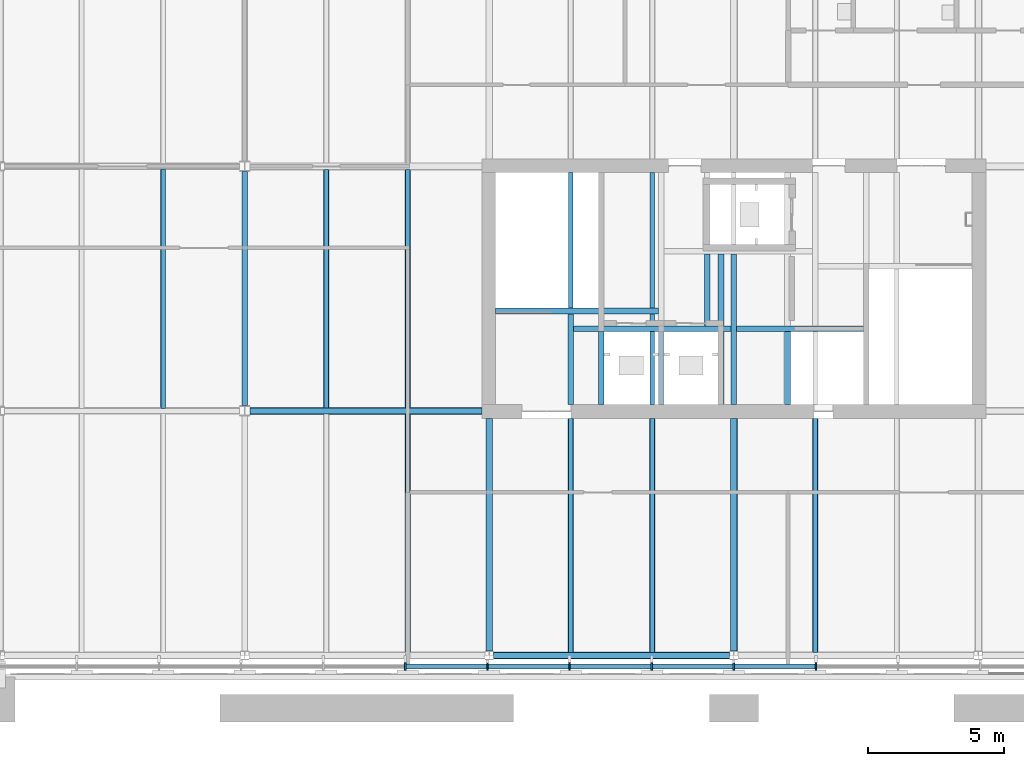
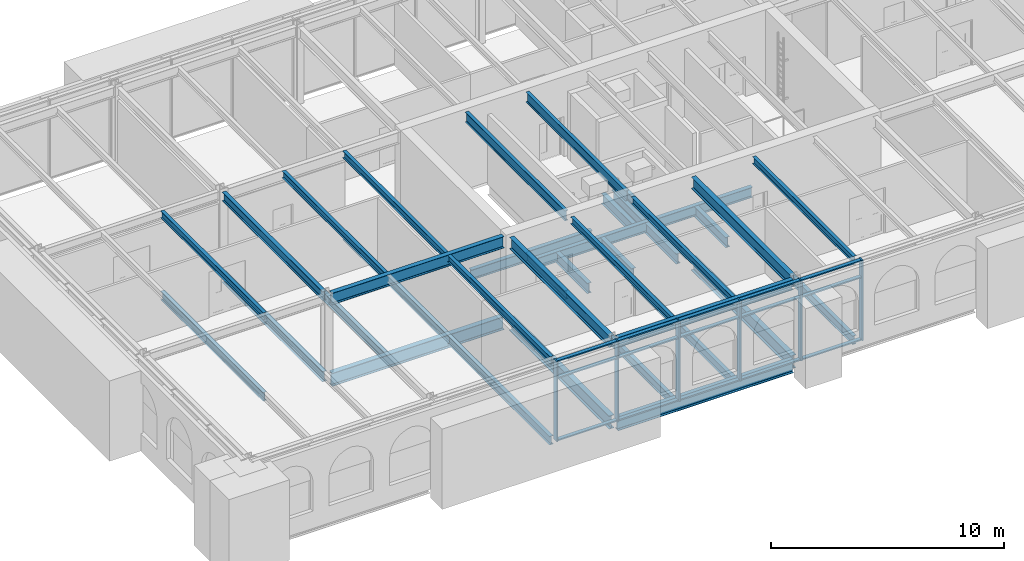
# One storey, part 4 of 24: 37 beams, 21 members, 1 element without a shape of its own.
"""IFC4 building model written with IfcOpenShell, lengths in metres."""

import ifcopenshell
import ifcopenshell.guid

model = None  # the IFC model being written
_history = None  # IfcOwnerHistory: only IFC2X3 demands one
_inside = {}  # id of a spatial element -> (the spatial element, [elements in it])
_under = {}  # id of a project, library or spatial element -> (it, [spatial elements below it])
_declared = {}  # id of a project -> (the project, [libraries it declares])
_typed = {}  # id of a type object -> (the type object, [elements of that type])
_made_of = {}  # id of a material, layer set ... -> (it, [elements and type objects made of it])


def new_model(schema):
    """Start an empty IFC model of exactly this schema.

    Asked for "IFC4X3", IfcOpenShell would pick the latest addendum, in which some entities
    have other attributes; the version numbers below select the first issue.
    IFC2X3 requires an IfcOwnerHistory on every rooted entity: one is made here for all.
    """
    global model, _history
    if schema == "IFC4X3":
        model = ifcopenshell.file(schema_version=(4, 3, 0, 0))
    else:
        model = ifcopenshell.file(schema=schema)
    _inside.clear()
    _under.clear()
    _declared.clear()
    _typed.clear()
    _made_of.clear()
    _history = None
    if model.schema == "IFC2X3":
        org = make("IfcOrganization", Name="unknown")
        user = make(
            "IfcPersonAndOrganization",
            ThePerson=make("IfcPerson", FamilyName="unknown"),
            TheOrganization=org,
        )
        app = make(
            "IfcApplication",
            ApplicationDeveloper=org,
            Version="unknown",
            ApplicationFullName="unknown",
            ApplicationIdentifier="unknown",
        )
        _history = make(
            "IfcOwnerHistory",
            OwningUser=user,
            OwningApplication=app,
            ChangeAction="ADDED",
            CreationDate=0,
        )
    return model


def make(cls, **values):
    """One entity of the class cls with the attributes given. An attribute that is None is left unset."""
    return model.create_entity(
        cls, **{name: value for name, value in values.items() if value is not None}
    )


def rooted(cls, **values):
    """An entity with a GlobalId (a new one), such as an element, a storey or a relation."""
    return make(cls, GlobalId=ifcopenshell.guid.new(), OwnerHistory=_history, **values)


def si_unit(unit_type, name, prefix=None):
    """IfcSIUnit, for example si_unit("LENGTHUNIT", "METRE", prefix="MILLI")."""
    return make("IfcSIUnit", UnitType=unit_type, Prefix=prefix, Name=name)


def assignment(units):
    """IfcUnitAssignment: the units of a project."""
    return None if units is None else make("IfcUnitAssignment", Units=units)


def point(xyz):
    """IfcCartesianPoint."""
    return None if xyz is None else make("IfcCartesianPoint", Coordinates=xyz)


def direction(xyz):
    """IfcDirection."""
    return None if xyz is None else make("IfcDirection", DirectionRatios=xyz)


def frame(location, z_axis=None, x_axis=None):
    """IfcAxis2Placement3D, a coordinate frame: its origin and axes. An axis left out is left unset."""
    return make(
        "IfcAxis2Placement3D",
        Location=point(location),
        Axis=direction(z_axis),
        RefDirection=direction(x_axis),
    )


def frame_2d(location, x_axis=None):
    """IfcAxis2Placement2D, a coordinate frame in the plane: its origin and x axis."""
    return make(
        "IfcAxis2Placement2D", Location=point(location), RefDirection=direction(x_axis)
    )


def origin():
    """The frame at (0, 0, 0) with its axes left unset."""
    return frame((0.0, 0.0, 0.0))


def origin_2d():
    """The frame at (0, 0) in the plane with its x axis left unset."""
    return frame_2d((0.0, 0.0))


def place(relative_to, where):
    """IfcLocalPlacement: puts the frame where relative to a parent placement (None: the world)."""
    return make(
        "IfcLocalPlacement", PlacementRelTo=relative_to, RelativePlacement=where
    )


def context(
    kind, dimensions, precision=None, world=None, true_north=None, identifier=None
):
    """IfcGeometricRepresentationContext, for example the 3D "Model" context."""
    return make(
        "IfcGeometricRepresentationContext",
        ContextIdentifier=identifier,
        ContextType=kind,
        CoordinateSpaceDimension=dimensions,
        Precision=precision,
        WorldCoordinateSystem=world,
        TrueNorth=true_north,
    )


def subcontext(parent, identifier, kind, view, scale=None):
    """IfcGeometricRepresentationSubContext, for example "Body" below "Model"."""
    return make(
        "IfcGeometricRepresentationSubContext",
        ContextIdentifier=identifier,
        ContextType=kind,
        ParentContext=parent,
        TargetScale=scale,
        TargetView=view,
    )


def project(units=None, contexts=None):
    """IfcProject with its units and contexts."""
    return rooted(
        "IfcProject",
        Name="project",
        RepresentationContexts=contexts,
        UnitsInContext=assignment(units),
    )


def spatial(cls, under=None, at=None, **own):
    """A site, building, storey or space (cls), placed at a placement, below another one or the project."""
    s = rooted(cls, ObjectPlacement=at, **own)
    if under is not None:
        _under.setdefault(under.id(), (under, []))[1].append(s)
    return s


def profile(cls, at=None, kind="AREA", **sizes):
    """A parametric profile (cls). Its sizes go by their IFC names, for example OverallWidth=200.0."""
    return make(cls, ProfileType=kind, Position=at, **sizes)


def rectangle(**sizes):
    """IfcRectangleProfileDef."""
    return profile("IfcRectangleProfileDef", **sizes)


def i_section(**sizes):
    """IfcIShapeProfileDef."""
    return profile("IfcIShapeProfileDef", **sizes)


def extrude(swept, where, along, depth):
    """IfcExtrudedAreaSolid: the profile swept, set in the frame where, extruded along a direction by depth."""
    return make(
        "IfcExtrudedAreaSolid",
        SweptArea=swept,
        Position=where,
        ExtrudedDirection=direction(along),
        Depth=depth,
    )


def shape(context_of_items, identifier, shape_type, items):
    """IfcShapeRepresentation: the items that make up one representation, for example the "Body"."""
    return make(
        "IfcShapeRepresentation",
        ContextOfItems=context_of_items,
        RepresentationIdentifier=identifier,
        RepresentationType=shape_type,
        Items=items,
    )


def material(Name=None, Category=None):
    """IfcMaterial."""
    return make("IfcMaterial", Name=Name, Category=Category)


def material_profile(
    of_material, cross_section, Name=None, Category=None, Priority=None
):
    """IfcMaterialProfile: a cross section and its material."""
    return make(
        "IfcMaterialProfile",
        Name=Name,
        Material=of_material,
        Profile=cross_section,
        Priority=Priority,
        Category=Category,
    )


def profile_set(profiles, Name=None, composite=None):
    """IfcMaterialProfileSet."""
    return make(
        "IfcMaterialProfileSet",
        Name=Name,
        MaterialProfiles=profiles,
        CompositeProfile=composite,
    )


def made_of(thing, what):
    """Note that an element or type object is made of a material, layer set ...; save() writes the relation."""
    if what is not None:
        _made_of.setdefault(what.id(), (what, []))[1].append(thing)
    return thing


def type_object(cls, material=None, **own):
    """A type object (cls), such as IfcWallType, which elements share."""
    return made_of(rooted(cls, **own), material)


def element(
    cls,
    number,
    at=None,
    inside=None,
    cuts=None,
    type_object=None,
    material=None,
    context=None,
    identifier="Body",
    shape_type=None,
    held_by="IfcProductDefinitionShape",
    body=None,
    shapes=None,
    **own,
):
    """One element of the class cls, such as IfcWall. Its Tag is "e" and its number.

    at: its placement. inside: the storey or other place that contains it. cuts: it is an
    opening in that element (IfcRelVoidsElement). A single representation is given by context,
    identifier, shape_type and body (its items); several are given by shapes. held_by: the class
    of the entity that holds the representations. save() writes the other relations.
    """
    e = rooted(cls, Tag="e%d" % number, ObjectPlacement=at, **own)
    if body is not None:
        shapes = [shape(context, identifier, shape_type, body)]
    if shapes is not None:
        e.Representation = make(held_by, Representations=shapes)
    if inside is not None:
        _inside.setdefault(inside.id(), (inside, []))[1].append(e)
    if cuts is not None:
        rooted(
            "IfcRelVoidsElement", RelatingBuildingElement=cuts, RelatedOpeningElement=e
        )
    if type_object is not None:
        _typed.setdefault(type_object.id(), (type_object, []))[1].append(e)
    return made_of(e, material)


def aggregate(whole, parts):
    """IfcRelAggregates: a whole, such as a stair, and the parts it consists of."""
    return rooted("IfcRelAggregates", RelatingObject=whole, RelatedObjects=parts)


def save(model, path):
    """Write the relations noted so far, then the file.

    IfcRelAggregates (storeys below a building ...), IfcRelContainedInSpatialStructure (elements
    in a storey), IfcRelDefinesByType, IfcRelAssociatesMaterial and IfcRelDeclares: one each for
    every whole, place, type object, material and project.
    """
    for whole, parts in _under.values():
        aggregate(whole, parts)
    for where, things in _inside.values():
        rooted(
            "IfcRelContainedInSpatialStructure",
            RelatedElements=things,
            RelatingStructure=where,
        )
    for kind, things in _typed.values():
        rooted("IfcRelDefinesByType", RelatedObjects=things, RelatingType=kind)
    for what, things in _made_of.values():
        rooted("IfcRelAssociatesMaterial", RelatedObjects=things, RelatingMaterial=what)
    for by, libraries in _declared.values():
        rooted("IfcRelDeclares", RelatingContext=by, RelatedDefinitions=libraries)
    model.write(path)


model = new_model("IFC4")

# Units and contexts
model_context = context("Model", 3, precision=1e-05, world=origin(), true_north=direction((0.0, 1.0)))
body_context = subcontext(model_context, "Body", "Model", "MODEL_VIEW")
ifc_project = project(units=[si_unit("LENGTHUNIT", "METRE"), si_unit("AREAUNIT", "SQUARE_METRE"), si_unit("VOLUMEUNIT", "CUBIC_METRE"), si_unit("PLANEANGLEUNIT", "RADIAN"), si_unit("MASSUNIT", "GRAM", prefix="KILO")], contexts=[model_context])

# Site, building, storey
site_placement = place(None, origin())
site = spatial("IfcSite", under=ifc_project, at=site_placement, CompositionType="ELEMENT")
building_placement = place(site_placement, origin())
building = spatial("IfcBuilding", under=site, at=building_placement, Name="Baradari Gate Terminus", CompositionType="ELEMENT")
storey_placement = place(building_placement, frame((0.0, 0.0, 32.699951171875)))
storey = spatial("IfcBuildingStorey", under=building, at=storey_placement, Name="L07", CompositionType="ELEMENT", Elevation=32.699951171875)

# Beams
ifc_material_1 = material(Name="Steel S355", Category="steel")
ifc_material_profile_1 = material_profile(ifc_material_1, i_section(OverallWidth=0.19140625, OverallDepth=0.4599609375, WebThickness=0.010009765625, FlangeThickness=0.01611328125, FilletRadius=0.01025390625, at=origin_2d()), Name="UB 457x191x82")
ifc_profile_set_1 = profile_set([ifc_material_profile_1], Name="Steel S355")
beam_type_1 = type_object("IfcBeamType", Name="Core floor beam B23 UB 457x191x82", PredefinedType="BEAM", material=ifc_profile_set_1)
beam_1_placement = place(storey_placement, frame((30.0, 126.22509765625, -0.35986328125), z_axis=(0.0, 1.0, 0.0), x_axis=(-1.0, 0.0, 0.0)))
element("IfcBeam", 1, at=beam_1_placement, inside=storey, type_object=beam_type_1, Name="Core floor beam B23 30:126.225-129.57 L07", PredefinedType="BEAM", context=body_context, shape_type="SweptSolid", body=[
    extrude(i_section(OverallWidth=0.19140625, OverallDepth=0.4599609375, WebThickness=0.010009765625, FlangeThickness=0.01611328125, FilletRadius=0.01025390625, at=origin_2d()), origin(), (0.0, 0.0, 1.0), 3.34521484375),
])
beam_2_placement = place(storey_placement, frame((36.0, 126.22509765625, -0.35986328125), z_axis=(0.0, 1.0, 0.0), x_axis=(-1.0, 0.0, 0.0)))
element("IfcBeam", 2, at=beam_2_placement, inside=storey, type_object=beam_type_1, Name="Core floor beam B23 5:126.225-131.77 L07", PredefinedType="BEAM", context=body_context, shape_type="SweptSolid", body=[
    extrude(i_section(OverallWidth=0.19140625, OverallDepth=0.4599609375, WebThickness=0.010009765625, FlangeThickness=0.01611328125, FilletRadius=0.01025390625, at=origin_2d()), origin(), (0.0, 0.0, 1.0), 5.54541015625),
])
ifc_material_2 = material(Name="Steel S355", Category="steel")
ifc_material_profile_2 = material_profile(ifc_material_2, i_section(OverallWidth=0.209228515625, OverallDepth=0.533203125, WebThickness=0.010009765625, FlangeThickness=0.015625, FilletRadius=0.0126953125, at=origin_2d()), Name="UB 533x210x92")
ifc_profile_set_2 = profile_set([ifc_material_profile_2], Name="Steel S355")
beam_type_2 = type_object("IfcBeamType", Name="Core floor trimmer beam B22 UB 533x210x92", PredefinedType="BEAM", material=ifc_profile_set_2)
beam_3_placement = place(storey_placement, frame((30.095703125, 129.02490234375, -0.396484375), z_axis=(1.0, 0.0, 0.0), x_axis=(0.0, 1.0, 0.0)))
element("IfcBeam", 3, at=beam_3_placement, inside=storey, type_object=beam_type_2, Name="Core floor trimmer beam B22 129.025:30.096-35.904 L07", PredefinedType="BEAM", context=body_context, shape_type="SweptSolid", body=[
    extrude(i_section(OverallWidth=0.209228515625, OverallDepth=0.533203125, WebThickness=0.010009765625, FlangeThickness=0.015625, FilletRadius=0.0126953125, at=origin_2d()), origin(), (0.0, 0.0, 1.0), 5.80859375),
])
beam_4_placement = place(storey_placement, frame((36.095703125, 129.02490234375, -0.396484375), z_axis=(1.0, 0.0, 0.0), x_axis=(0.0, 1.0, 0.0)))
element("IfcBeam", 4, at=beam_4_placement, inside=storey, type_object=beam_type_2, Name="Core floor trimmer beam B22 129.025:36.096-40.77 L07", PredefinedType="BEAM", context=body_context, shape_type="SweptSolid", body=[
    extrude(i_section(OverallWidth=0.209228515625, OverallDepth=0.533203125, WebThickness=0.010009765625, FlangeThickness=0.015625, FilletRadius=0.0126953125, at=origin_2d()), origin(), (0.0, 0.0, 1.0), 4.6748046875),
])
beam_5_placement = place(storey_placement, frame((27.22509765625, 129.675048828125, -0.396484375), z_axis=(1.0, 0.0, 0.0), x_axis=(0.0, 1.0, 0.0)))
element("IfcBeam", 5, at=beam_5_placement, inside=storey, type_object=beam_type_2, Name="Core floor trimmer beam B22 129.675:27.225-33.22 L07", PredefinedType="BEAM", context=body_context, shape_type="SweptSolid", body=[
    extrude(i_section(OverallWidth=0.209228515625, OverallDepth=0.533203125, WebThickness=0.010009765625, FlangeThickness=0.015625, FilletRadius=0.0126953125, at=origin_2d()), origin(), (0.0, 0.0, 1.0), 5.995361328125),
])
for number, where, z_axis, x_axis, name in (
    (6, (31.125, 126.22509765625, -0.396484375), (0.0, 1.0, 0.0), (-1.0, 0.0, 0.0), "Core floor trimmer beam B22 31.125:126.225-128.92 L07"),
    (7, (33.324951171875, 126.22509765625, -0.396484375), (0.0, 1.0, 0.0), (-1.0, 0.0, 0.0), "Core floor trimmer beam B22 33.325:126.225-128.92 L07"),
    (8, (35.530029296875, 126.22509765625, -0.396484375), (0.0, 1.0, 0.0), (-1.0, 0.0, 0.0), "Core floor trimmer beam B22 35.53:126.225-128.92 L07"),
):
    element("IfcBeam", number, at=place(storey_placement, frame(where, z_axis=z_axis, x_axis=x_axis)), inside=storey, type_object=beam_type_2, Name=name, PredefinedType="BEAM", context=body_context, shape_type="SweptSolid", body=[
        extrude(i_section(OverallWidth=0.209228515625, OverallDepth=0.533203125, WebThickness=0.010009765625, FlangeThickness=0.015625, FilletRadius=0.0126953125, at=origin_2d()), origin(), (0.0, 0.0, 1.0), 2.6953125),
    ])
beam_6_placement = place(storey_placement, frame((35.530029296875, 129.129638671875, -0.396484375), z_axis=(0.0, 1.0, 0.0), x_axis=(-1.0, 0.0, 0.0)))
element("IfcBeam", 9, at=beam_6_placement, inside=storey, type_object=beam_type_2, Name="Core floor trimmer beam B22 35.53:129.13-131.77 L07", PredefinedType="BEAM", context=body_context, shape_type="SweptSolid", body=[
    extrude(i_section(OverallWidth=0.209228515625, OverallDepth=0.533203125, WebThickness=0.010009765625, FlangeThickness=0.015625, FilletRadius=0.0126953125, at=origin_2d()), origin(), (0.0, 0.0, 1.0), 2.640869140625),
])
beam_7_placement = place(storey_placement, frame((37.97802734375, 126.22509765625, -0.396484375), z_axis=(0.0, 1.0, 0.0), x_axis=(-1.0, 0.0, 0.0)))
element("IfcBeam", 10, at=beam_7_placement, inside=storey, type_object=beam_type_2, Name="Core floor trimmer beam B22 37.978:126.225-128.92 L07", PredefinedType="BEAM", context=body_context, shape_type="SweptSolid", body=[
    extrude(i_section(OverallWidth=0.209228515625, OverallDepth=0.533203125, WebThickness=0.010009765625, FlangeThickness=0.015625, FilletRadius=0.0126953125, at=origin_2d()), origin(), (0.0, 0.0, 1.0), 2.6953125),
])
beam_8_placement = place(storey_placement, frame((35.02001953125, 129.129638671875, -0.396484375), z_axis=(0.0, 1.0, 0.0), x_axis=(-1.0, 0.0, 0.0)))
element("IfcBeam", 11, at=beam_8_placement, inside=storey, type_object=beam_type_2, Name="Core floor trimmer beam B22 35.02:129.13-131.77 L07", PredefinedType="BEAM", context=body_context, shape_type="SweptSolid", body=[
    extrude(i_section(OverallWidth=0.209228515625, OverallDepth=0.533203125, WebThickness=0.010009765625, FlangeThickness=0.015625, FilletRadius=0.0126953125, at=origin_2d()), origin(), (0.0, 0.0, 1.0), 2.640869140625),
])

# Curtain wall, members
ifc_material_3 = material(Name="Aluminium 6063-T6", Category="aluminium")
curtain_wall_type = type_object("IfcCurtainWallType", Name="Curtain wall CW-12 block arcade floors, L06-L07", PredefinedType="NOTDEFINED", material=ifc_material_3)
curtain_wall_placement = place(storey_placement, origin())
curtain_wall = element("IfcCurtainWall", 12, at=curtain_wall_placement, inside=storey, type_object=curtain_wall_type, Name="Curtain wall CW-12 Operations block S face L07", PredefinedType="NOTDEFINED")
ifc_material_4 = material(Name="Aluminium 6063-T6", Category="aluminium")
ifc_material_profile_3 = material_profile(ifc_material_4, rectangle(XDim=0.27490234375, YDim=0.06494140625, at=origin_2d()), Name="CM-12 65X275")
ifc_profile_set_3 = profile_set([ifc_material_profile_3], Name="Aluminium 6063-T6")
member_type_1 = type_object("IfcMemberType", Name="Curtain wall mullion CM-12 65x275", PredefinedType="MULLION", material=ifc_profile_set_3)
member_1_placement = place(storey_placement, frame((23.9111328125, 116.592529296875, 0.0), z_axis=(0.0, 0.0, 1.0), x_axis=(0.0, 1.0, 0.0)))
member_1 = element("IfcMember", 13, at=member_1_placement, type_object=member_type_1, Name="CW-12 mullion 6", PredefinedType="MULLION", context=body_context, shape_type="SweptSolid", body=[
    extrude(rectangle(XDim=0.27490234375, YDim=0.06494140625, at=origin_2d()), origin(), (0.0, 0.0, 1.0), 4.199951171875),
])
member_2_placement = place(storey_placement, frame((26.933349609375, 116.592529296875, 0.0), z_axis=(0.0, 0.0, 1.0), x_axis=(0.0, 1.0, 0.0)))
member_2 = element("IfcMember", 14, at=member_2_placement, type_object=member_type_1, Name="CW-12 mullion 7", PredefinedType="MULLION", context=body_context, shape_type="SweptSolid", body=[
    extrude(rectangle(XDim=0.27490234375, YDim=0.06494140625, at=origin_2d()), origin(), (0.0, 0.0, 1.0), 4.199951171875),
])
member_3_placement = place(storey_placement, frame((29.95556640625, 116.592529296875, 0.0), z_axis=(0.0, 0.0, 1.0), x_axis=(0.0, 1.0, 0.0)))
member_3 = element("IfcMember", 15, at=member_3_placement, type_object=member_type_1, Name="CW-12 mullion 8", PredefinedType="MULLION", context=body_context, shape_type="SweptSolid", body=[
    extrude(rectangle(XDim=0.27490234375, YDim=0.06494140625, at=origin_2d()), origin(), (0.0, 0.0, 1.0), 4.199951171875),
])
member_4_placement = place(storey_placement, frame((32.977783203125, 116.592529296875, 0.0), z_axis=(0.0, 0.0, 1.0), x_axis=(0.0, 1.0, 0.0)))
member_4 = element("IfcMember", 16, at=member_4_placement, type_object=member_type_1, Name="CW-12 mullion 9", PredefinedType="MULLION", context=body_context, shape_type="SweptSolid", body=[
    extrude(rectangle(XDim=0.27490234375, YDim=0.06494140625, at=origin_2d()), origin(), (0.0, 0.0, 1.0), 4.199951171875),
])
member_5_placement = place(storey_placement, frame((36.0, 116.592529296875, 0.0), z_axis=(0.0, 0.0, 1.0), x_axis=(0.0, 1.0, 0.0)))
member_5 = element("IfcMember", 17, at=member_5_placement, type_object=member_type_1, Name="CW-12 mullion 10", PredefinedType="MULLION", context=body_context, shape_type="SweptSolid", body=[
    extrude(rectangle(XDim=0.27490234375, YDim=0.06494140625, at=origin_2d()), origin(), (0.0, 0.0, 1.0), 4.199951171875),
])
member_6_placement = place(storey_placement, frame((39.022216796875, 116.592529296875, 0.0), z_axis=(0.0, 0.0, 1.0), x_axis=(0.0, 1.0, 0.0)))
member_6 = element("IfcMember", 18, at=member_6_placement, type_object=member_type_1, Name="CW-12 mullion 11", PredefinedType="MULLION", context=body_context, shape_type="SweptSolid", body=[
    extrude(rectangle(XDim=0.27490234375, YDim=0.06494140625, at=origin_2d()), origin(), (0.0, 0.0, 1.0), 4.199951171875),
])
ifc_material_5 = material(Name="Aluminium 6063-T6", Category="aluminium")
ifc_material_profile_4 = material_profile(ifc_material_5, rectangle(XDim=0.18505859375, YDim=0.06494140625, at=origin_2d()), Name="CT-12 65X185")
ifc_profile_set_4 = profile_set([ifc_material_profile_4], Name="Aluminium 6063-T6")
member_type_2 = type_object("IfcMemberType", Name="Curtain wall transom CT-12 65x185", PredefinedType="USERDEFINED", material=ifc_profile_set_4)
member_7_placement = place(storey_placement, frame((23.943603515625, 116.592529296875, 0.032470703125), z_axis=(1.0, 0.0, 0.0), x_axis=(0.0, 1.0, 0.0)))
member_7 = element("IfcMember", 19, at=member_7_placement, type_object=member_type_2, Name="CW-12 transom 6.1", ObjectType="TRANSOM", PredefinedType="USERDEFINED", context=body_context, shape_type="SweptSolid", body=[
    extrude(rectangle(XDim=0.18505859375, YDim=0.06494140625, at=origin_2d()), origin(), (0.0, 0.0, 1.0), 2.957275390625),
])
member_8_placement = place(storey_placement, frame((23.943603515625, 116.592529296875, 3.300048828125), z_axis=(1.0, 0.0, 0.0), x_axis=(0.0, 1.0, 0.0)))
member_8 = element("IfcMember", 20, at=member_8_placement, type_object=member_type_2, Name="CW-12 transom 6.2", ObjectType="TRANSOM", PredefinedType="USERDEFINED", context=body_context, shape_type="SweptSolid", body=[
    extrude(rectangle(XDim=0.18505859375, YDim=0.06494140625, at=origin_2d()), origin(), (0.0, 0.0, 1.0), 2.957275390625),
])
member_9_placement = place(storey_placement, frame((23.943603515625, 116.592529296875, 4.16748046875), z_axis=(1.0, 0.0, 0.0), x_axis=(0.0, 1.0, 0.0)))
member_9 = element("IfcMember", 21, at=member_9_placement, type_object=member_type_2, Name="CW-12 transom 6.3", ObjectType="TRANSOM", PredefinedType="USERDEFINED", context=body_context, shape_type="SweptSolid", body=[
    extrude(rectangle(XDim=0.18505859375, YDim=0.06494140625, at=origin_2d()), origin(), (0.0, 0.0, 1.0), 2.957275390625),
])
member_10_placement = place(storey_placement, frame((26.9658203125, 116.592529296875, 0.032470703125), z_axis=(1.0, 0.0, 0.0), x_axis=(0.0, 1.0, 0.0)))
member_10 = element("IfcMember", 22, at=member_10_placement, type_object=member_type_2, Name="CW-12 transom 7.1", ObjectType="TRANSOM", PredefinedType="USERDEFINED", context=body_context, shape_type="SweptSolid", body=[
    extrude(rectangle(XDim=0.18505859375, YDim=0.06494140625, at=origin_2d()), origin(), (0.0, 0.0, 1.0), 2.957275390625),
])
member_11_placement = place(storey_placement, frame((26.9658203125, 116.592529296875, 3.300048828125), z_axis=(1.0, 0.0, 0.0), x_axis=(0.0, 1.0, 0.0)))
member_11 = element("IfcMember", 23, at=member_11_placement, type_object=member_type_2, Name="CW-12 transom 7.2", ObjectType="TRANSOM", PredefinedType="USERDEFINED", context=body_context, shape_type="SweptSolid", body=[
    extrude(rectangle(XDim=0.18505859375, YDim=0.06494140625, at=origin_2d()), origin(), (0.0, 0.0, 1.0), 2.957275390625),
])
member_12_placement = place(storey_placement, frame((26.9658203125, 116.592529296875, 4.16748046875), z_axis=(1.0, 0.0, 0.0), x_axis=(0.0, 1.0, 0.0)))
member_12 = element("IfcMember", 24, at=member_12_placement, type_object=member_type_2, Name="CW-12 transom 7.3", ObjectType="TRANSOM", PredefinedType="USERDEFINED", context=body_context, shape_type="SweptSolid", body=[
    extrude(rectangle(XDim=0.18505859375, YDim=0.06494140625, at=origin_2d()), origin(), (0.0, 0.0, 1.0), 2.957275390625),
])
member_13_placement = place(storey_placement, frame((29.988037109375, 116.592529296875, 0.032470703125), z_axis=(1.0, 0.0, 0.0), x_axis=(0.0, 1.0, 0.0)))
member_13 = element("IfcMember", 25, at=member_13_placement, type_object=member_type_2, Name="CW-12 transom 8.1", ObjectType="TRANSOM", PredefinedType="USERDEFINED", context=body_context, shape_type="SweptSolid", body=[
    extrude(rectangle(XDim=0.18505859375, YDim=0.06494140625, at=origin_2d()), origin(), (0.0, 0.0, 1.0), 2.957275390625),
])
member_14_placement = place(storey_placement, frame((29.988037109375, 116.592529296875, 3.300048828125), z_axis=(1.0, 0.0, 0.0), x_axis=(0.0, 1.0, 0.0)))
member_14 = element("IfcMember", 26, at=member_14_placement, type_object=member_type_2, Name="CW-12 transom 8.2", ObjectType="TRANSOM", PredefinedType="USERDEFINED", context=body_context, shape_type="SweptSolid", body=[
    extrude(rectangle(XDim=0.18505859375, YDim=0.06494140625, at=origin_2d()), origin(), (0.0, 0.0, 1.0), 2.957275390625),
])
member_15_placement = place(storey_placement, frame((29.988037109375, 116.592529296875, 4.16748046875), z_axis=(1.0, 0.0, 0.0), x_axis=(0.0, 1.0, 0.0)))
member_15 = element("IfcMember", 27, at=member_15_placement, type_object=member_type_2, Name="CW-12 transom 8.3", ObjectType="TRANSOM", PredefinedType="USERDEFINED", context=body_context, shape_type="SweptSolid", body=[
    extrude(rectangle(XDim=0.18505859375, YDim=0.06494140625, at=origin_2d()), origin(), (0.0, 0.0, 1.0), 2.957275390625),
])
member_16_placement = place(storey_placement, frame((33.01025390625, 116.592529296875, 0.032470703125), z_axis=(1.0, 0.0, 0.0), x_axis=(0.0, 1.0, 0.0)))
member_16 = element("IfcMember", 28, at=member_16_placement, type_object=member_type_2, Name="CW-12 transom 9.1", ObjectType="TRANSOM", PredefinedType="USERDEFINED", context=body_context, shape_type="SweptSolid", body=[
    extrude(rectangle(XDim=0.18505859375, YDim=0.06494140625, at=origin_2d()), origin(), (0.0, 0.0, 1.0), 2.957275390625),
])
member_17_placement = place(storey_placement, frame((33.01025390625, 116.592529296875, 3.300048828125), z_axis=(1.0, 0.0, 0.0), x_axis=(0.0, 1.0, 0.0)))
member_17 = element("IfcMember", 29, at=member_17_placement, type_object=member_type_2, Name="CW-12 transom 9.2", ObjectType="TRANSOM", PredefinedType="USERDEFINED", context=body_context, shape_type="SweptSolid", body=[
    extrude(rectangle(XDim=0.18505859375, YDim=0.06494140625, at=origin_2d()), origin(), (0.0, 0.0, 1.0), 2.957275390625),
])
member_18_placement = place(storey_placement, frame((33.01025390625, 116.592529296875, 4.16748046875), z_axis=(1.0, 0.0, 0.0), x_axis=(0.0, 1.0, 0.0)))
member_18 = element("IfcMember", 30, at=member_18_placement, type_object=member_type_2, Name="CW-12 transom 9.3", ObjectType="TRANSOM", PredefinedType="USERDEFINED", context=body_context, shape_type="SweptSolid", body=[
    extrude(rectangle(XDim=0.18505859375, YDim=0.06494140625, at=origin_2d()), origin(), (0.0, 0.0, 1.0), 2.957275390625),
])
member_19_placement = place(storey_placement, frame((36.032470703125, 116.592529296875, 0.032470703125), z_axis=(1.0, 0.0, 0.0), x_axis=(0.0, 1.0, 0.0)))
member_19 = element("IfcMember", 31, at=member_19_placement, type_object=member_type_2, Name="CW-12 transom 10.1", ObjectType="TRANSOM", PredefinedType="USERDEFINED", context=body_context, shape_type="SweptSolid", body=[
    extrude(rectangle(XDim=0.18505859375, YDim=0.06494140625, at=origin_2d()), origin(), (0.0, 0.0, 1.0), 2.957275390625),
])
member_20_placement = place(storey_placement, frame((36.032470703125, 116.592529296875, 3.300048828125), z_axis=(1.0, 0.0, 0.0), x_axis=(0.0, 1.0, 0.0)))
member_20 = element("IfcMember", 32, at=member_20_placement, type_object=member_type_2, Name="CW-12 transom 10.2", ObjectType="TRANSOM", PredefinedType="USERDEFINED", context=body_context, shape_type="SweptSolid", body=[
    extrude(rectangle(XDim=0.18505859375, YDim=0.06494140625, at=origin_2d()), origin(), (0.0, 0.0, 1.0), 2.957275390625),
])
member_21_placement = place(storey_placement, frame((36.032470703125, 116.592529296875, 4.16748046875), z_axis=(1.0, 0.0, 0.0), x_axis=(0.0, 1.0, 0.0)))
member_21 = element("IfcMember", 33, at=member_21_placement, type_object=member_type_2, Name="CW-12 transom 10.3", ObjectType="TRANSOM", PredefinedType="USERDEFINED", context=body_context, shape_type="SweptSolid", body=[
    extrude(rectangle(XDim=0.18505859375, YDim=0.06494140625, at=origin_2d()), origin(), (0.0, 0.0, 1.0), 2.957275390625),
])
aggregate(curtain_wall, [member_1, member_2, member_3, member_4, member_5, member_6, member_7, member_8, member_9, member_10, member_11, member_12, member_13, member_14, member_15, member_16, member_17, member_18, member_19, member_20, member_21])

# Beams
ifc_material_6 = material(Name="Steel S355", Category="steel")
ifc_material_profile_5 = material_profile(ifc_material_6, i_section(OverallWidth=0.1650390625, OverallDepth=0.524658203125, WebThickness=0.0087890625, FlangeThickness=0.011962890625, FilletRadius=0.0126953125, at=origin_2d()), Name="UB 533x165x66")
ifc_profile_set_5 = profile_set([ifc_material_profile_5], Name="Steel S355")
beam_type_3 = type_object("IfcBeamType", Name="Lift machine room beam B47 UB 533x165x66", PredefinedType="BEAM", material=ifc_profile_set_5)
for number, where, z_axis, x_axis, name in (
    (34, (30.0, 126.22509765625, 3.787841796875), (0.0, 1.0, 0.0), (-1.0, 0.0, 0.0), "Lift machine room beam B47 30:126.225-134.775 L07"),
    (35, (33.0, 126.22509765625, 3.787841796875), (0.0, 1.0, 0.0), (-1.0, 0.0, 0.0), "Lift machine room beam B47 33:126.225-134.775 L07"),
):
    element("IfcBeam", number, at=place(storey_placement, frame(where, z_axis=z_axis, x_axis=x_axis)), inside=storey, type_object=beam_type_3, Name=name, PredefinedType="BEAM", context=body_context, shape_type="SweptSolid", body=[
        extrude(i_section(OverallWidth=0.1650390625, OverallDepth=0.524658203125, WebThickness=0.0087890625, FlangeThickness=0.011962890625, FilletRadius=0.0126953125, at=origin_2d()), origin(), (0.0, 0.0, 1.0), 8.5498046875),
    ])
ifc_material_7 = material(Name="Steel S355", Category="steel")
ifc_material_profile_6 = material_profile(ifc_material_7, i_section(OverallWidth=0.25439453125, OverallDepth=0.6875, WebThickness=0.01318359375, FlangeThickness=0.02099609375, FilletRadius=0.01513671875, at=origin_2d()), Name="UB 686x254x152")
ifc_profile_set_6 = profile_set([ifc_material_profile_6], Name="Steel S355")
beam_type_4 = type_object("IfcBeamType", Name="Operations block coupling beam B26 UB 686x254x152", PredefinedType="BEAM", material=ifc_profile_set_6)
beam_9_placement = place(storey_placement, frame((18.197509765625, 126.0, -0.4736328125), z_axis=(1.0, 0.0, 0.0), x_axis=(0.0, 1.0, 0.0)))
element("IfcBeam", 36, at=beam_9_placement, inside=storey, type_object=beam_type_4, Name="Operations block coupling beam B26 Q:18.197-26.725 L07", PredefinedType="BEAM", context=body_context, shape_type="SweptSolid", body=[
    extrude(i_section(OverallWidth=0.25439453125, OverallDepth=0.6875, WebThickness=0.01318359375, FlangeThickness=0.02099609375, FilletRadius=0.01513671875, at=origin_2d()), origin(), (0.0, 0.0, 1.0), 8.527587890625),
])
for number, where, z_axis, x_axis, name in (
    (37, (27.0, 117.169921875, -0.4736328125), (0.0, 1.0, 0.0), (-1.0, 0.0, 0.0), "Operations block coupling beam B26 4:117.17-125.725 L07"),
    (38, (36.0, 117.169921875, -0.4736328125), (0.0, 1.0, 0.0), (-1.0, 0.0, 0.0), "Operations block coupling beam B26 5:117.17-125.725 L07"),
):
    element("IfcBeam", number, at=place(storey_placement, frame(where, z_axis=z_axis, x_axis=x_axis)), inside=storey, type_object=beam_type_4, Name=name, PredefinedType="BEAM", context=body_context, shape_type="SweptSolid", body=[
        extrude(i_section(OverallWidth=0.25439453125, OverallDepth=0.6875, WebThickness=0.01318359375, FlangeThickness=0.02099609375, FilletRadius=0.01513671875, at=origin_2d()), origin(), (0.0, 0.0, 1.0), 8.55517578125),
    ])
ifc_material_8 = material(Name="Steel S355", Category="steel")
ifc_material_profile_7 = material_profile(ifc_material_8, i_section(OverallWidth=0.210693359375, OverallDepth=0.53955078125, WebThickness=0.01171875, FlangeThickness=0.018798828125, FilletRadius=0.0126953125, at=origin_2d()), Name="UB 533x210x109")
ifc_profile_set_7 = profile_set([ifc_material_profile_7], Name="Steel S355")
beam_type_5 = type_object("IfcBeamType", Name="Operations block girder B29 UB 533x210x109", PredefinedType="BEAM", material=ifc_profile_set_7)
beam_10_placement = place(storey_placement, frame((18.0, 126.1904296875, -0.399658203125), z_axis=(0.0, 1.0, 0.0), x_axis=(-1.0, 0.0, 0.0)))
element("IfcBeam", 39, at=beam_10_placement, inside=storey, type_object=beam_type_5, Name="Operations block girder B29 3:126.191-134.81 L07", PredefinedType="BEAM", context=body_context, shape_type="SweptSolid", body=[
    extrude(i_section(OverallWidth=0.210693359375, OverallDepth=0.53955078125, WebThickness=0.01171875, FlangeThickness=0.018798828125, FilletRadius=0.0126953125, at=origin_2d()), origin(), (0.0, 0.0, 1.0), 8.619140625),
])
ifc_material_9 = material(Name="Steel S355", Category="steel")
ifc_material_profile_8 = material_profile(ifc_material_9, i_section(OverallWidth=0.25439453125, OverallDepth=0.6875, WebThickness=0.01318359375, FlangeThickness=0.02099609375, FilletRadius=0.01513671875, at=origin_2d()), Name="UB 686x254x152")
ifc_profile_set_8 = profile_set([ifc_material_profile_8], Name="Steel S355")
beam_type_6 = type_object("IfcBeamType", Name="Operations block moment frame beam B32 UB 686x254x152", PredefinedType="BEAM", material=ifc_profile_set_8)
beam_11_placement = place(storey_placement, frame((27.1572265625, 117.0, -0.4736328125), z_axis=(1.0, 0.0, 0.0), x_axis=(0.0, 1.0, 0.0)))
element("IfcBeam", 40, at=beam_11_placement, inside=storey, type_object=beam_type_6, Name="Operations block moment frame beam B32 P:27.157-35.843 L07", PredefinedType="BEAM", context=body_context, shape_type="SweptSolid", body=[
    extrude(i_section(OverallWidth=0.25439453125, OverallDepth=0.6875, WebThickness=0.01318359375, FlangeThickness=0.02099609375, FilletRadius=0.01513671875, at=origin_2d()), origin(), (0.0, 0.0, 1.0), 8.685546875),
])
ifc_material_10 = material(Name="Steel S355", Category="steel")
ifc_material_profile_9 = material_profile(ifc_material_10, i_section(OverallWidth=0.2275390625, OverallDepth=0.6025390625, WebThickness=0.010498046875, FlangeThickness=0.014892578125, FilletRadius=0.0126953125, at=origin_2d()), Name="UB 610x229x101")
ifc_profile_set_9 = profile_set([ifc_material_profile_9], Name="Steel S355")
beam_type_7 = type_object("IfcBeamType", Name="Operations block roof coupling beam B45 UB 610x229x101", PredefinedType="BEAM", material=ifc_profile_set_9)
beam_12_placement = place(storey_placement, frame((18.197509765625, 126.0, 3.748779296875), z_axis=(1.0, 0.0, 0.0), x_axis=(0.0, 1.0, 0.0)))
element("IfcBeam", 41, at=beam_12_placement, inside=storey, type_object=beam_type_7, Name="Operations block roof coupling beam B45 Q:18.197-26.725 L07", PredefinedType="BEAM", context=body_context, shape_type="SweptSolid", body=[
    extrude(i_section(OverallWidth=0.2275390625, OverallDepth=0.6025390625, WebThickness=0.010498046875, FlangeThickness=0.014892578125, FilletRadius=0.0126953125, at=origin_2d()), origin(), (0.0, 0.0, 1.0), 8.527587890625),
])
for number, where, z_axis, x_axis, name in (
    (42, (27.0, 117.169921875, 3.748779296875), (0.0, 1.0, 0.0), (-1.0, 0.0, 0.0), "Operations block roof coupling beam B45 4:117.17-125.725 L07"),
    (43, (36.0, 117.169921875, 3.748779296875), (0.0, 1.0, 0.0), (-1.0, 0.0, 0.0), "Operations block roof coupling beam B45 5:117.17-125.725 L07"),
):
    element("IfcBeam", number, at=place(storey_placement, frame(where, z_axis=z_axis, x_axis=x_axis)), inside=storey, type_object=beam_type_7, Name=name, PredefinedType="BEAM", context=body_context, shape_type="SweptSolid", body=[
        extrude(i_section(OverallWidth=0.2275390625, OverallDepth=0.6025390625, WebThickness=0.010498046875, FlangeThickness=0.014892578125, FilletRadius=0.0126953125, at=origin_2d()), origin(), (0.0, 0.0, 1.0), 8.55517578125),
    ])
ifc_material_11 = material(Name="Steel S355", Category="steel")
ifc_material_profile_10 = material_profile(ifc_material_11, i_section(OverallWidth=0.209228515625, OverallDepth=0.533203125, WebThickness=0.010009765625, FlangeThickness=0.015625, FilletRadius=0.0126953125, at=origin_2d()), Name="UB 533x210x92")
ifc_profile_set_10 = profile_set([ifc_material_profile_10], Name="Steel S355")
beam_type_8 = type_object("IfcBeamType", Name="Operations block roof edge beam B43 UB 533x210x92", PredefinedType="BEAM", material=ifc_profile_set_10)
beam_13_placement = place(storey_placement, frame((27.1572265625, 117.0, 3.783447265625), z_axis=(1.0, 0.0, 0.0), x_axis=(0.0, 1.0, 0.0)))
element("IfcBeam", 44, at=beam_13_placement, inside=storey, type_object=beam_type_8, Name="Operations block roof edge beam B43 P:27.157-35.843 L07", PredefinedType="BEAM", context=body_context, shape_type="SweptSolid", body=[
    extrude(i_section(OverallWidth=0.209228515625, OverallDepth=0.533203125, WebThickness=0.010009765625, FlangeThickness=0.015625, FilletRadius=0.0126953125, at=origin_2d()), origin(), (0.0, 0.0, 1.0), 8.685546875),
])
ifc_material_12 = material(Name="Steel S355", Category="steel")
ifc_material_profile_11 = material_profile(ifc_material_12, i_section(OverallWidth=0.19140625, OverallDepth=0.4599609375, WebThickness=0.010009765625, FlangeThickness=0.01611328125, FilletRadius=0.01025390625, at=origin_2d()), Name="UB 457x191x82")
ifc_profile_set_11 = profile_set([ifc_material_profile_11], Name="Steel S355")
beam_type_9 = type_object("IfcBeamType", Name="Operations block roof girder B44 UB 457x191x82", PredefinedType="BEAM", material=ifc_profile_set_11)
beam_14_placement = place(storey_placement, frame((18.0, 126.1904296875, 3.820068359375), z_axis=(0.0, 1.0, 0.0), x_axis=(-1.0, 0.0, 0.0)))
element("IfcBeam", 45, at=beam_14_placement, inside=storey, type_object=beam_type_9, Name="Operations block roof girder B44 3:126.191-134.81 L07", PredefinedType="BEAM", context=body_context, shape_type="SweptSolid", body=[
    extrude(i_section(OverallWidth=0.19140625, OverallDepth=0.4599609375, WebThickness=0.010009765625, FlangeThickness=0.01611328125, FilletRadius=0.01025390625, at=origin_2d()), origin(), (0.0, 0.0, 1.0), 8.619140625),
])
ifc_material_13 = material(Name="Steel S355", Category="steel")
ifc_material_profile_12 = material_profile(ifc_material_13, i_section(OverallWidth=0.17138671875, OverallDepth=0.35498046875, WebThickness=0.00732421875, FlangeThickness=0.011474609375, FilletRadius=0.01025390625, at=origin_2d()), Name="UB 356x171x51")
ifc_profile_set_12 = profile_set([ifc_material_profile_12], Name="Steel S355")
beam_type_10 = type_object("IfcBeamType", Name="Operations block roof secondary beam B46 UB 356x171x51", PredefinedType="BEAM", material=ifc_profile_set_12)
beam_15_placement = place(storey_placement, frame((15.0, 126.095703125, 3.87255859375), z_axis=(0.0, 1.0, 0.0), x_axis=(-1.0, 0.0, 0.0)))
element("IfcBeam", 46, at=beam_15_placement, inside=storey, type_object=beam_type_10, Name="Operations block roof secondary beam B46 15:126.096-134.904 L07", PredefinedType="BEAM", context=body_context, shape_type="SweptSolid", body=[
    extrude(i_section(OverallWidth=0.17138671875, OverallDepth=0.35498046875, WebThickness=0.00732421875, FlangeThickness=0.011474609375, FilletRadius=0.01025390625, at=origin_2d()), origin(), (0.0, 0.0, 1.0), 8.80859375),
])
beam_16_placement = place(storey_placement, frame((21.0, 126.11376953125, 3.87255859375), z_axis=(0.0, 1.0, 0.0), x_axis=(-1.0, 0.0, 0.0)))
element("IfcBeam", 47, at=beam_16_placement, inside=storey, type_object=beam_type_10, Name="Operations block roof secondary beam B46 21:126.114-134.886 L07", PredefinedType="BEAM", context=body_context, shape_type="SweptSolid", body=[
    extrude(i_section(OverallWidth=0.17138671875, OverallDepth=0.35498046875, WebThickness=0.00732421875, FlangeThickness=0.011474609375, FilletRadius=0.01025390625, at=origin_2d()), origin(), (0.0, 0.0, 1.0), 8.7724609375),
])
beam_17_placement = place(storey_placement, frame((24.0, 117.104736328125, 3.87255859375), z_axis=(0.0, 1.0, 0.0), x_axis=(-1.0, 0.0, 0.0)))
element("IfcBeam", 48, at=beam_17_placement, inside=storey, type_object=beam_type_10, Name="Operations block roof secondary beam B46 24:117.105-125.886 L07", PredefinedType="BEAM", context=body_context, shape_type="SweptSolid", body=[
    extrude(i_section(OverallWidth=0.17138671875, OverallDepth=0.35498046875, WebThickness=0.00732421875, FlangeThickness=0.011474609375, FilletRadius=0.01025390625, at=origin_2d()), origin(), (0.0, 0.0, 1.0), 8.781494140625),
])
beam_18_placement = place(storey_placement, frame((24.0, 126.11376953125, 3.87255859375), z_axis=(0.0, 1.0, 0.0), x_axis=(-1.0, 0.0, 0.0)))
element("IfcBeam", 49, at=beam_18_placement, inside=storey, type_object=beam_type_10, Name="Operations block roof secondary beam B46 24:126.114-134.886 L07", PredefinedType="BEAM", context=body_context, shape_type="SweptSolid", body=[
    extrude(i_section(OverallWidth=0.17138671875, OverallDepth=0.35498046875, WebThickness=0.00732421875, FlangeThickness=0.011474609375, FilletRadius=0.01025390625, at=origin_2d()), origin(), (0.0, 0.0, 1.0), 8.7724609375),
])
for number, where, z_axis, x_axis, name in (
    (50, (30.0, 117.104736328125, 3.87255859375), (0.0, 1.0, 0.0), (-1.0, 0.0, 0.0), "Operations block roof secondary beam B46 30:117.105-125.725 L07"),
    (51, (33.0, 117.104736328125, 3.87255859375), (0.0, 1.0, 0.0), (-1.0, 0.0, 0.0), "Operations block roof secondary beam B46 33:117.105-125.725 L07"),
    (52, (39.0, 117.104736328125, 3.87255859375), (0.0, 1.0, 0.0), (-1.0, 0.0, 0.0), "Operations block roof secondary beam B46 39:117.105-125.725 L07"),
):
    element("IfcBeam", number, at=place(storey_placement, frame(where, z_axis=z_axis, x_axis=x_axis)), inside=storey, type_object=beam_type_10, Name=name, PredefinedType="BEAM", context=body_context, shape_type="SweptSolid", body=[
        extrude(i_section(OverallWidth=0.17138671875, OverallDepth=0.35498046875, WebThickness=0.00732421875, FlangeThickness=0.011474609375, FilletRadius=0.01025390625, at=origin_2d()), origin(), (0.0, 0.0, 1.0), 8.620361328125),
    ])
ifc_material_14 = material(Name="Steel S355", Category="steel")
ifc_material_profile_13 = material_profile(ifc_material_14, i_section(OverallWidth=0.18994140625, OverallDepth=0.453369140625, WebThickness=0.008544921875, FlangeThickness=0.0126953125, FilletRadius=0.01025390625, at=origin_2d()), Name="UB 457x191x67")
ifc_profile_set_13 = profile_set([ifc_material_profile_13], Name="Steel S355")
beam_type_11 = type_object("IfcBeamType", Name="Operations block secondary beam B28 UB 457x191x67", PredefinedType="BEAM", material=ifc_profile_set_13)
beam_19_placement = place(storey_placement, frame((15.0, 126.114501953125, -0.356689453125), z_axis=(0.0, 1.0, 0.0), x_axis=(-1.0, 0.0, 0.0)))
element("IfcBeam", 53, at=beam_19_placement, inside=storey, type_object=beam_type_11, Name="Operations block secondary beam B28 15:126.115-134.886 L07", PredefinedType="BEAM", context=body_context, shape_type="SweptSolid", body=[
    extrude(i_section(OverallWidth=0.18994140625, OverallDepth=0.453369140625, WebThickness=0.008544921875, FlangeThickness=0.0126953125, FilletRadius=0.01025390625, at=origin_2d()), origin(), (0.0, 0.0, 1.0), 8.77099609375),
])
for number, where, z_axis, x_axis, name in (
    (54, (21.0, 126.127197265625, -0.356689453125), (0.0, 1.0, 0.0), (-1.0, 0.0, 0.0), "Operations block secondary beam B28 21:126.127-134.873 L07"),
    (55, (24.0, 117.127197265625, -0.356689453125), (0.0, 1.0, 0.0), (-1.0, 0.0, 0.0), "Operations block secondary beam B28 24:117.127-125.873 L07"),
    (56, (24.0, 126.127197265625, -0.356689453125), (0.0, 1.0, 0.0), (-1.0, 0.0, 0.0), "Operations block secondary beam B28 24:126.127-134.873 L07"),
):
    element("IfcBeam", number, at=place(storey_placement, frame(where, z_axis=z_axis, x_axis=x_axis)), inside=storey, type_object=beam_type_11, Name=name, PredefinedType="BEAM", context=body_context, shape_type="SweptSolid", body=[
        extrude(i_section(OverallWidth=0.18994140625, OverallDepth=0.453369140625, WebThickness=0.008544921875, FlangeThickness=0.0126953125, FilletRadius=0.01025390625, at=origin_2d()), origin(), (0.0, 0.0, 1.0), 8.74560546875),
    ])
for number, where, z_axis, x_axis, name in (
    (57, (30.0, 117.127197265625, -0.356689453125), (0.0, 1.0, 0.0), (-1.0, 0.0, 0.0), "Operations block secondary beam B28 30:117.127-125.725 L07"),
    (58, (33.0, 117.127197265625, -0.356689453125), (0.0, 1.0, 0.0), (-1.0, 0.0, 0.0), "Operations block secondary beam B28 33:117.127-125.725 L07"),
    (59, (39.0, 117.127197265625, -0.356689453125), (0.0, 1.0, 0.0), (-1.0, 0.0, 0.0), "Operations block secondary beam B28 39:117.127-125.725 L07"),
):
    element("IfcBeam", number, at=place(storey_placement, frame(where, z_axis=z_axis, x_axis=x_axis)), inside=storey, type_object=beam_type_11, Name=name, PredefinedType="BEAM", context=body_context, shape_type="SweptSolid", body=[
        extrude(i_section(OverallWidth=0.18994140625, OverallDepth=0.453369140625, WebThickness=0.008544921875, FlangeThickness=0.0126953125, FilletRadius=0.01025390625, at=origin_2d()), origin(), (0.0, 0.0, 1.0), 8.597900390625),
    ])

save(model, "model.ifc")
